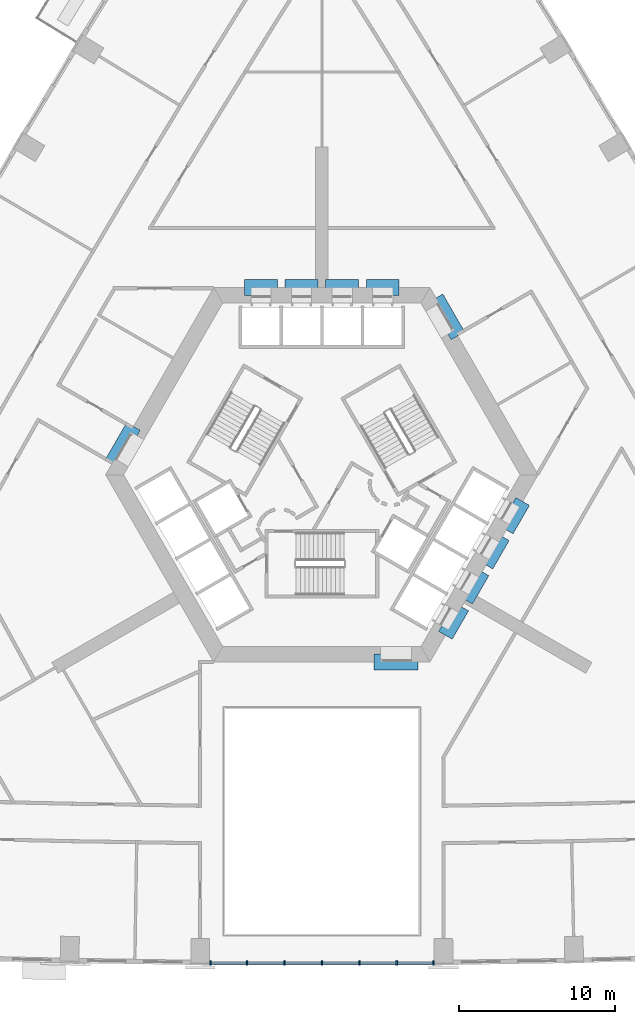
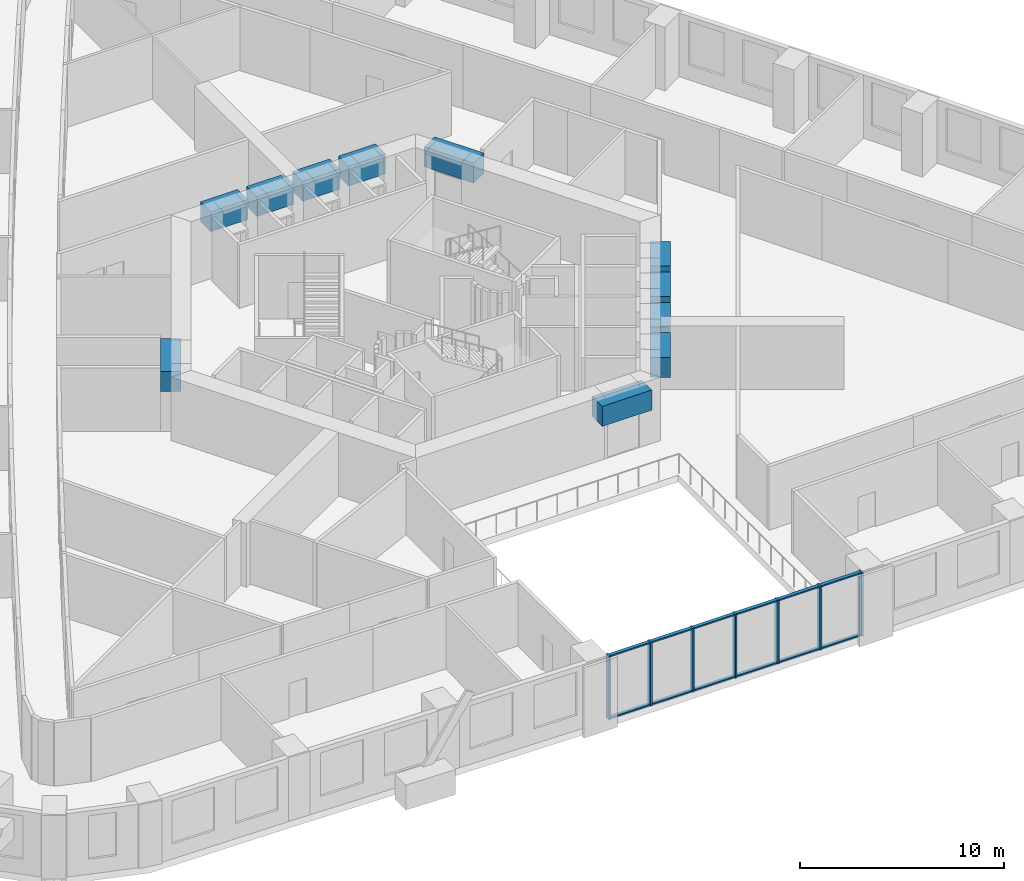
# One storey, part 2 of 15: 19 members, 11 beams, 1 element without a shape of its own.
"""IFC4 building model written with IfcOpenShell, lengths in metres."""

from ifc_helpers import new_model, si_unit, direction, frame, origin, origin_2d, place, context, subcontext, project, spatial, rectangle, extrude, material, material_profile, profile_set, type_object, element, aggregate, save


model = new_model("IFC4")

# Units and contexts
model_context = context("Model", 3, precision=1e-05, world=origin(), true_north=direction((0.0, 1.0)))
body_context = subcontext(model_context, "Body", "Model", "MODEL_VIEW")
ifc_project = project(units=[si_unit("LENGTHUNIT", "METRE"), si_unit("AREAUNIT", "SQUARE_METRE"), si_unit("VOLUMEUNIT", "CUBIC_METRE"), si_unit("PLANEANGLEUNIT", "RADIAN"), si_unit("MASSUNIT", "GRAM", prefix="KILO")], contexts=[model_context])

# Site, building, storey
site_placement = place(None, origin())
site = spatial("IfcSite", under=ifc_project, at=site_placement, CompositionType="ELEMENT")
building_placement = place(site_placement, origin())
building = spatial("IfcBuilding", under=site, at=building_placement, Name="Entoto Arch Interchange Tower", CompositionType="ELEMENT")
storey_placement = place(building_placement, frame((0.0, 0.0, 56.0)))
storey = spatial("IfcBuildingStorey", under=building, at=storey_placement, Name="L11", CompositionType="ELEMENT", Elevation=56.0)

# Beams
ifc_material_1 = material(Name="Concrete C60/75", Category="concrete")
ifc_material_profile_1 = material_profile(ifc_material_1, rectangle(XDim=1.0, YDim=1.199951171875, at=origin_2d()))
ifc_profile_set_1 = profile_set([ifc_material_profile_1], Name="Concrete C60/75")
beam_type = type_object("IfcBeamType", Name="Coupling beam RC 1000x1200 C60/75", PredefinedType="BEAM", material=ifc_profile_set_1)
beam_1_placement = place(storey_placement, frame((8.717041015625, 11.402099609375, 3.0), z_axis=(-0.500200581029, 0.865909567298, 0.0), x_axis=(-0.865909567298, -0.500200581029, 0.0)))
element("IfcBeam", 1, at=beam_1_placement, inside=storey, type_object=beam_type, Name="Coupling beam NE L11", PredefinedType="BEAM", context=body_context, shape_type="SweptSolid", body=[
    extrude(rectangle(XDim=1.0, YDim=1.199951171875, at=origin_2d()), origin(), (0.0, 0.0, 1.0), 2.799072265625),
])
beam_2_placement = place(storey_placement, frame((4.949951171875, 14.5, 3.0), z_axis=(-1.0, 0.0, 0.0), x_axis=(0.0, -1.0, 0.0)))
element("IfcBeam", 2, at=beam_2_placement, inside=storey, type_object=beam_type, Name="Coupling beam N L11", PredefinedType="BEAM", context=body_context, shape_type="SweptSolid", body=[
    extrude(rectangle(XDim=1.0, YDim=1.199951171875, at=origin_2d()), origin(), (0.0, 0.0, 1.0), 2.099853515625),
])
for number, where, z_axis, x_axis, name in (
    (3, (2.35009765625, 14.5, 3.0), (-1.0, 0.0, 0.0), (0.0, -1.0, 0.0), "Coupling beam N L11"),
    (4, (-0.25, 14.5, 3.0), (-1.0, 0.0, 0.0), (0.0, -1.0, 0.0), "Coupling beam N L11"),
):
    element("IfcBeam", number, at=place(storey_placement, frame(where, z_axis=z_axis, x_axis=x_axis)), inside=storey, type_object=beam_type, Name=name, PredefinedType="BEAM", context=body_context, shape_type="SweptSolid", body=[
        extrude(rectangle(XDim=1.0, YDim=1.199951171875, at=origin_2d()), origin(), (0.0, 0.0, 1.0), 2.10009765625),
    ])
beam_3_placement = place(storey_placement, frame((-2.85009765625, 14.5, 3.0), z_axis=(-1.0, 0.0, 0.0), x_axis=(0.0, -1.0, 0.0)))
element("IfcBeam", 5, at=beam_3_placement, inside=storey, type_object=beam_type, Name="Coupling beam N L11", PredefinedType="BEAM", context=body_context, shape_type="SweptSolid", body=[
    extrude(rectangle(XDim=1.0, YDim=1.199951171875, at=origin_2d()), origin(), (0.0, 0.0, 1.0), 2.099853515625),
])
beam_4_placement = place(storey_placement, frame((-12.06689453125, 5.597900390625, 3.0), z_axis=(-0.500200581029, -0.865909567298, 0.0), x_axis=(0.865909567298, -0.500200581029, 0.0)))
element("IfcBeam", 6, at=beam_4_placement, inside=storey, type_object=beam_type, Name="Coupling beam NW L11", PredefinedType="BEAM", context=body_context, shape_type="SweptSolid", body=[
    extrude(rectangle(XDim=1.0, YDim=1.199951171875, at=origin_2d()), origin(), (0.0, 0.0, 1.0), 2.799072265625),
])
beam_5_placement = place(storey_placement, frame((3.35009765625, -9.5, 3.0), z_axis=(1.0, 0.0, 0.0), x_axis=(0.0, 1.0, 0.0)))
element("IfcBeam", 7, at=beam_5_placement, inside=storey, type_object=beam_type, Name="Coupling beam S L11", PredefinedType="BEAM", context=body_context, shape_type="SweptSolid", body=[
    extrude(rectangle(XDim=1.0, YDim=1.199951171875, at=origin_2d()), origin(), (0.0, 0.0, 1.0), 2.7998046875),
])
for number, where, z_axis, x_axis, name in (
    (8, (7.9169921875, -7.785888671875, 3.0), (0.500178781653, 0.865922159541, 0.0), (-0.865922159541, 0.500178781653, 0.0), "Coupling beam SE L11"),
    (9, (9.217041015625, -5.534912109375, 3.0), (0.500178781653, 0.865922159541, 0.0), (-0.865922159541, 0.500178781653, 0.0), "Coupling beam SE L11"),
):
    element("IfcBeam", number, at=place(storey_placement, frame(where, z_axis=z_axis, x_axis=x_axis)), inside=storey, type_object=beam_type, Name=name, PredefinedType="BEAM", context=body_context, shape_type="SweptSolid", body=[
        extrude(rectangle(XDim=1.0, YDim=1.199951171875, at=origin_2d()), origin(), (0.0, 0.0, 1.0), 2.099365234375),
    ])
beam_6_placement = place(storey_placement, frame((10.51708984375, -3.282958984375, 3.0), z_axis=(0.500091574638, 0.865972526687, 0.0), x_axis=(-0.865972526687, 0.500091574638, 0.0)))
element("IfcBeam", 10, at=beam_6_placement, inside=storey, type_object=beam_type, Name="Coupling beam SE L11", PredefinedType="BEAM", context=body_context, shape_type="SweptSolid", body=[
    extrude(rectangle(XDim=1.0, YDim=1.199951171875, at=origin_2d()), origin(), (0.0, 0.0, 1.0), 2.09912109375),
])
beam_7_placement = place(storey_placement, frame((11.81689453125, -1.031982421875, 3.0), z_axis=(0.500178781653, 0.865922159541, 0.0), x_axis=(-0.865922159541, 0.500178781653, 0.0)))
element("IfcBeam", 11, at=beam_7_placement, inside=storey, type_object=beam_type, Name="Coupling beam SE L11", PredefinedType="BEAM", context=body_context, shape_type="SweptSolid", body=[
    extrude(rectangle(XDim=1.0, YDim=1.199951171875, at=origin_2d()), origin(), (0.0, 0.0, 1.0), 2.099365234375),
])

# Curtain wall, members
ifc_material_2 = material(Name="Aluminium, anodised", Category="aluminium")
curtain_wall_type = type_object("IfcCurtainWallType", Name="CURTAIN WALL ATRIUM", PredefinedType="NOTDEFINED", material=ifc_material_2)
curtain_wall_placement = place(storey_placement, origin())
curtain_wall = element("IfcCurtainWall", 12, at=curtain_wall_placement, inside=storey, type_object=curtain_wall_type, Name="Atrium glazing S-04 L11", PredefinedType="NOTDEFINED")
ifc_material_profile_2 = material_profile(ifc_material_2, rectangle(XDim=0.300048828125, YDim=0.10009765625, at=origin_2d()))
ifc_profile_set_2 = profile_set([ifc_material_profile_2], Name="Aluminium, anodised")
member_type_1 = type_object("IfcMemberType", Name="MULLION ATRIUM 100x300", PredefinedType="MULLION", material=ifc_profile_set_2)
member_1_placement = place(storey_placement, frame((-7.14794921875, -28.784912109375, 0.0), z_axis=(0.0, 0.0, 1.0), x_axis=(0.0, 1.0, 0.0)))
member_1 = element("IfcMember", 13, at=member_1_placement, type_object=member_type_1, Name="CWA mullion 1", PredefinedType="MULLION", context=body_context, shape_type="SweptSolid", body=[
    extrude(rectangle(XDim=0.300048828125, YDim=0.10009765625, at=origin_2d()), origin(), (0.0, 0.0, 1.0), 3.800048828125),
])
member_2_placement = place(storey_placement, frame((-4.798583984375, -28.784912109375, 0.0), z_axis=(0.0, 0.0, 1.0), x_axis=(0.0, 1.0, 0.0)))
member_2 = element("IfcMember", 14, at=member_2_placement, type_object=member_type_1, Name="CWA mullion 2", PredefinedType="MULLION", context=body_context, shape_type="SweptSolid", body=[
    extrude(rectangle(XDim=0.300048828125, YDim=0.10009765625, at=origin_2d()), origin(), (0.0, 0.0, 1.0), 3.800048828125),
])
member_3_placement = place(storey_placement, frame((-2.3994140625, -28.784912109375, 0.0), z_axis=(0.0, 0.0, 1.0), x_axis=(0.0, 1.0, 0.0)))
member_3 = element("IfcMember", 15, at=member_3_placement, type_object=member_type_1, Name="CWA mullion 3", PredefinedType="MULLION", context=body_context, shape_type="SweptSolid", body=[
    extrude(rectangle(XDim=0.300048828125, YDim=0.10009765625, at=origin_2d()), origin(), (0.0, 0.0, 1.0), 3.800048828125),
])
member_4_placement = place(storey_placement, frame((0.0, -28.784912109375, 0.0), z_axis=(0.0, 0.0, 1.0), x_axis=(0.0, 1.0, 0.0)))
member_4 = element("IfcMember", 16, at=member_4_placement, type_object=member_type_1, Name="CWA mullion 4", PredefinedType="MULLION", context=body_context, shape_type="SweptSolid", body=[
    extrude(rectangle(XDim=0.300048828125, YDim=0.10009765625, at=origin_2d()), origin(), (0.0, 0.0, 1.0), 3.800048828125),
])
member_5_placement = place(storey_placement, frame((2.3994140625, -28.784912109375, 0.0), z_axis=(0.0, 0.0, 1.0), x_axis=(0.0, 1.0, 0.0)))
member_5 = element("IfcMember", 17, at=member_5_placement, type_object=member_type_1, Name="CWA mullion 5", PredefinedType="MULLION", context=body_context, shape_type="SweptSolid", body=[
    extrude(rectangle(XDim=0.300048828125, YDim=0.10009765625, at=origin_2d()), origin(), (0.0, 0.0, 1.0), 3.800048828125),
])
member_6_placement = place(storey_placement, frame((4.798583984375, -28.784912109375, 0.0), z_axis=(0.0, 0.0, 1.0), x_axis=(0.0, 1.0, 0.0)))
member_6 = element("IfcMember", 18, at=member_6_placement, type_object=member_type_1, Name="CWA mullion 6", PredefinedType="MULLION", context=body_context, shape_type="SweptSolid", body=[
    extrude(rectangle(XDim=0.300048828125, YDim=0.10009765625, at=origin_2d()), origin(), (0.0, 0.0, 1.0), 3.800048828125),
])
member_7_placement = place(storey_placement, frame((7.14794921875, -28.784912109375, 0.0), z_axis=(0.0, 0.0, 1.0), x_axis=(0.0, 1.0, 0.0)))
member_7 = element("IfcMember", 19, at=member_7_placement, type_object=member_type_1, Name="CWA mullion 7", PredefinedType="MULLION", context=body_context, shape_type="SweptSolid", body=[
    extrude(rectangle(XDim=0.300048828125, YDim=0.10009765625, at=origin_2d()), origin(), (0.0, 0.0, 1.0), 3.800048828125),
])
ifc_material_profile_3 = material_profile(ifc_material_2, rectangle(XDim=0.199951171875, YDim=0.080078125, at=origin_2d()))
ifc_profile_set_3 = profile_set([ifc_material_profile_3], Name="Aluminium, anodised")
member_type_2 = type_object("IfcMemberType", Name="TRANSOM ATRIUM 80x200", PredefinedType="USERDEFINED", material=ifc_profile_set_3)
member_8_placement = place(storey_placement, frame((-7.097900390625, -28.784912109375, 0.0400390625), z_axis=(1.0, 0.0, 0.0), x_axis=(0.0, 1.0, 0.0)))
member_8 = element("IfcMember", 20, at=member_8_placement, type_object=member_type_2, Name="CWA transom 1.1", ObjectType="TRANSOM", PredefinedType="USERDEFINED", context=body_context, shape_type="SweptSolid", body=[
    extrude(rectangle(XDim=0.199951171875, YDim=0.080078125, at=origin_2d()), origin(), (0.0, 0.0, 1.0), 2.249267578125),
])
member_9_placement = place(storey_placement, frame((-7.097900390625, -28.784912109375, 3.760009765625), z_axis=(1.0, 0.0, 0.0), x_axis=(0.0, 1.0, 0.0)))
member_9 = element("IfcMember", 21, at=member_9_placement, type_object=member_type_2, Name="CWA transom 1.2", ObjectType="TRANSOM", PredefinedType="USERDEFINED", context=body_context, shape_type="SweptSolid", body=[
    extrude(rectangle(XDim=0.199951171875, YDim=0.080078125, at=origin_2d()), origin(), (0.0, 0.0, 1.0), 2.249267578125),
])
member_10_placement = place(storey_placement, frame((-4.748779296875, -28.784912109375, 0.0400390625), z_axis=(1.0, 0.0, 0.0), x_axis=(0.0, 1.0, 0.0)))
member_10 = element("IfcMember", 22, at=member_10_placement, type_object=member_type_2, Name="CWA transom 2.1", ObjectType="TRANSOM", PredefinedType="USERDEFINED", context=body_context, shape_type="SweptSolid", body=[
    extrude(rectangle(XDim=0.199951171875, YDim=0.080078125, at=origin_2d()), origin(), (0.0, 0.0, 1.0), 2.299560546875),
])
member_11_placement = place(storey_placement, frame((-4.748779296875, -28.784912109375, 3.760009765625), z_axis=(1.0, 0.0, 0.0), x_axis=(0.0, 1.0, 0.0)))
member_11 = element("IfcMember", 23, at=member_11_placement, type_object=member_type_2, Name="CWA transom 2.2", ObjectType="TRANSOM", PredefinedType="USERDEFINED", context=body_context, shape_type="SweptSolid", body=[
    extrude(rectangle(XDim=0.199951171875, YDim=0.080078125, at=origin_2d()), origin(), (0.0, 0.0, 1.0), 2.299560546875),
])
member_12_placement = place(storey_placement, frame((-2.349365234375, -28.784912109375, 0.0400390625), z_axis=(1.0, 0.0, 0.0), x_axis=(0.0, 1.0, 0.0)))
member_12 = element("IfcMember", 24, at=member_12_placement, type_object=member_type_2, Name="CWA transom 3.1", ObjectType="TRANSOM", PredefinedType="USERDEFINED", context=body_context, shape_type="SweptSolid", body=[
    extrude(rectangle(XDim=0.199951171875, YDim=0.080078125, at=origin_2d()), origin(), (0.0, 0.0, 1.0), 2.29931640625),
])
member_13_placement = place(storey_placement, frame((-2.349365234375, -28.784912109375, 3.760009765625), z_axis=(1.0, 0.0, 0.0), x_axis=(0.0, 1.0, 0.0)))
member_13 = element("IfcMember", 25, at=member_13_placement, type_object=member_type_2, Name="CWA transom 3.2", ObjectType="TRANSOM", PredefinedType="USERDEFINED", context=body_context, shape_type="SweptSolid", body=[
    extrude(rectangle(XDim=0.199951171875, YDim=0.080078125, at=origin_2d()), origin(), (0.0, 0.0, 1.0), 2.29931640625),
])
member_14_placement = place(storey_placement, frame((0.050048828125, -28.784912109375, 0.0400390625), z_axis=(1.0, 0.0, 0.0), x_axis=(0.0, 1.0, 0.0)))
member_14 = element("IfcMember", 26, at=member_14_placement, type_object=member_type_2, Name="CWA transom 4.1", ObjectType="TRANSOM", PredefinedType="USERDEFINED", context=body_context, shape_type="SweptSolid", body=[
    extrude(rectangle(XDim=0.199951171875, YDim=0.080078125, at=origin_2d()), origin(), (0.0, 0.0, 1.0), 2.29931640625),
])
member_15_placement = place(storey_placement, frame((0.050048828125, -28.784912109375, 3.760009765625), z_axis=(1.0, 0.0, 0.0), x_axis=(0.0, 1.0, 0.0)))
member_15 = element("IfcMember", 27, at=member_15_placement, type_object=member_type_2, Name="CWA transom 4.2", ObjectType="TRANSOM", PredefinedType="USERDEFINED", context=body_context, shape_type="SweptSolid", body=[
    extrude(rectangle(XDim=0.199951171875, YDim=0.080078125, at=origin_2d()), origin(), (0.0, 0.0, 1.0), 2.29931640625),
])
member_16_placement = place(storey_placement, frame((2.44921875, -28.784912109375, 0.0400390625), z_axis=(1.0, 0.0, 0.0), x_axis=(0.0, 1.0, 0.0)))
member_16 = element("IfcMember", 28, at=member_16_placement, type_object=member_type_2, Name="CWA transom 5.1", ObjectType="TRANSOM", PredefinedType="USERDEFINED", context=body_context, shape_type="SweptSolid", body=[
    extrude(rectangle(XDim=0.199951171875, YDim=0.080078125, at=origin_2d()), origin(), (0.0, 0.0, 1.0), 2.299560546875),
])
member_17_placement = place(storey_placement, frame((2.44921875, -28.784912109375, 3.760009765625), z_axis=(1.0, 0.0, 0.0), x_axis=(0.0, 1.0, 0.0)))
member_17 = element("IfcMember", 29, at=member_17_placement, type_object=member_type_2, Name="CWA transom 5.2", ObjectType="TRANSOM", PredefinedType="USERDEFINED", context=body_context, shape_type="SweptSolid", body=[
    extrude(rectangle(XDim=0.199951171875, YDim=0.080078125, at=origin_2d()), origin(), (0.0, 0.0, 1.0), 2.299560546875),
])
member_18_placement = place(storey_placement, frame((4.8486328125, -28.784912109375, 0.0400390625), z_axis=(1.0, 0.0, 0.0), x_axis=(0.0, 1.0, 0.0)))
member_18 = element("IfcMember", 30, at=member_18_placement, type_object=member_type_2, Name="CWA transom 6.1", ObjectType="TRANSOM", PredefinedType="USERDEFINED", context=body_context, shape_type="SweptSolid", body=[
    extrude(rectangle(XDim=0.199951171875, YDim=0.080078125, at=origin_2d()), origin(), (0.0, 0.0, 1.0), 2.249267578125),
])
member_19_placement = place(storey_placement, frame((4.8486328125, -28.784912109375, 3.760009765625), z_axis=(1.0, 0.0, 0.0), x_axis=(0.0, 1.0, 0.0)))
member_19 = element("IfcMember", 31, at=member_19_placement, type_object=member_type_2, Name="CWA transom 6.2", ObjectType="TRANSOM", PredefinedType="USERDEFINED", context=body_context, shape_type="SweptSolid", body=[
    extrude(rectangle(XDim=0.199951171875, YDim=0.080078125, at=origin_2d()), origin(), (0.0, 0.0, 1.0), 2.249267578125),
])
aggregate(curtain_wall, [member_1, member_2, member_3, member_4, member_5, member_6, member_7, member_8, member_9, member_10, member_11, member_12, member_13, member_14, member_15, member_16, member_17, member_18, member_19])

save(model, "model.ifc")
